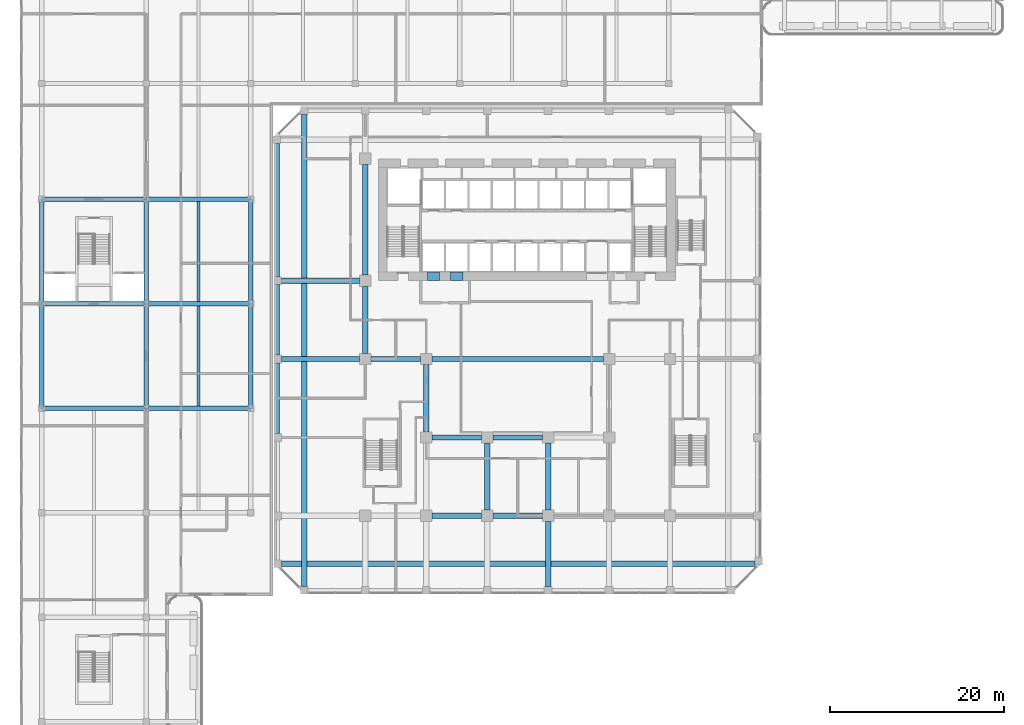
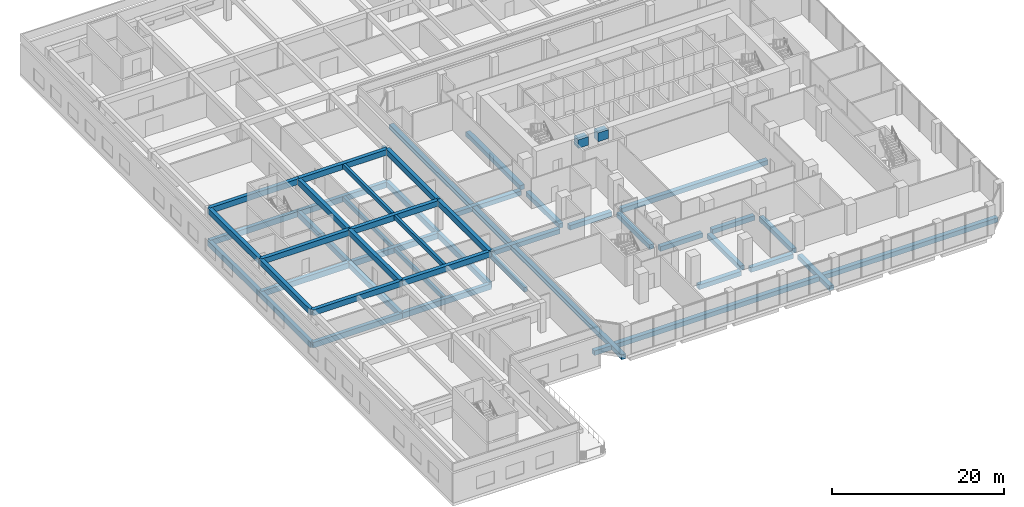
# One storey, part 4 of 35: 49 beams.
"""IFC4 building model written with IfcOpenShell, lengths in metres."""

import ifcopenshell
import ifcopenshell.guid

model = None  # the IFC model being written
_history = None  # IfcOwnerHistory: only IFC2X3 demands one
_inside = {}  # id of a spatial element -> (the spatial element, [elements in it])
_under = {}  # id of a project, library or spatial element -> (it, [spatial elements below it])
_declared = {}  # id of a project -> (the project, [libraries it declares])
_typed = {}  # id of a type object -> (the type object, [elements of that type])
_made_of = {}  # id of a material, layer set ... -> (it, [elements and type objects made of it])


def new_model(schema):
    """Start an empty IFC model of exactly this schema.

    Asked for "IFC4X3", IfcOpenShell would pick the latest addendum, in which some entities
    have other attributes; the version numbers below select the first issue.
    IFC2X3 requires an IfcOwnerHistory on every rooted entity: one is made here for all.
    """
    global model, _history
    if schema == "IFC4X3":
        model = ifcopenshell.file(schema_version=(4, 3, 0, 0))
    else:
        model = ifcopenshell.file(schema=schema)
    _inside.clear()
    _under.clear()
    _declared.clear()
    _typed.clear()
    _made_of.clear()
    _history = None
    if model.schema == "IFC2X3":
        org = make("IfcOrganization", Name="unknown")
        user = make(
            "IfcPersonAndOrganization",
            ThePerson=make("IfcPerson", FamilyName="unknown"),
            TheOrganization=org,
        )
        app = make(
            "IfcApplication",
            ApplicationDeveloper=org,
            Version="unknown",
            ApplicationFullName="unknown",
            ApplicationIdentifier="unknown",
        )
        _history = make(
            "IfcOwnerHistory",
            OwningUser=user,
            OwningApplication=app,
            ChangeAction="ADDED",
            CreationDate=0,
        )
    return model


def make(cls, **values):
    """One entity of the class cls with the attributes given. An attribute that is None is left unset."""
    return model.create_entity(
        cls, **{name: value for name, value in values.items() if value is not None}
    )


def rooted(cls, **values):
    """An entity with a GlobalId (a new one), such as an element, a storey or a relation."""
    return make(cls, GlobalId=ifcopenshell.guid.new(), OwnerHistory=_history, **values)


def si_unit(unit_type, name, prefix=None):
    """IfcSIUnit, for example si_unit("LENGTHUNIT", "METRE", prefix="MILLI")."""
    return make("IfcSIUnit", UnitType=unit_type, Prefix=prefix, Name=name)


def assignment(units):
    """IfcUnitAssignment: the units of a project."""
    return None if units is None else make("IfcUnitAssignment", Units=units)


def point(xyz):
    """IfcCartesianPoint."""
    return None if xyz is None else make("IfcCartesianPoint", Coordinates=xyz)


def direction(xyz):
    """IfcDirection."""
    return None if xyz is None else make("IfcDirection", DirectionRatios=xyz)


def frame(location, z_axis=None, x_axis=None):
    """IfcAxis2Placement3D, a coordinate frame: its origin and axes. An axis left out is left unset."""
    return make(
        "IfcAxis2Placement3D",
        Location=point(location),
        Axis=direction(z_axis),
        RefDirection=direction(x_axis),
    )


def frame_2d(location, x_axis=None):
    """IfcAxis2Placement2D, a coordinate frame in the plane: its origin and x axis."""
    return make(
        "IfcAxis2Placement2D", Location=point(location), RefDirection=direction(x_axis)
    )


def origin():
    """The frame at (0, 0, 0) with its axes left unset."""
    return frame((0.0, 0.0, 0.0))


def origin_2d():
    """The frame at (0, 0) in the plane with its x axis left unset."""
    return frame_2d((0.0, 0.0))


def place(relative_to, where):
    """IfcLocalPlacement: puts the frame where relative to a parent placement (None: the world)."""
    return make(
        "IfcLocalPlacement", PlacementRelTo=relative_to, RelativePlacement=where
    )


def context(
    kind, dimensions, precision=None, world=None, true_north=None, identifier=None
):
    """IfcGeometricRepresentationContext, for example the 3D "Model" context."""
    return make(
        "IfcGeometricRepresentationContext",
        ContextIdentifier=identifier,
        ContextType=kind,
        CoordinateSpaceDimension=dimensions,
        Precision=precision,
        WorldCoordinateSystem=world,
        TrueNorth=true_north,
    )


def subcontext(parent, identifier, kind, view, scale=None):
    """IfcGeometricRepresentationSubContext, for example "Body" below "Model"."""
    return make(
        "IfcGeometricRepresentationSubContext",
        ContextIdentifier=identifier,
        ContextType=kind,
        ParentContext=parent,
        TargetScale=scale,
        TargetView=view,
    )


def project(units=None, contexts=None):
    """IfcProject with its units and contexts."""
    return rooted(
        "IfcProject",
        Name="project",
        RepresentationContexts=contexts,
        UnitsInContext=assignment(units),
    )


def spatial(cls, under=None, at=None, **own):
    """A site, building, storey or space (cls), placed at a placement, below another one or the project."""
    s = rooted(cls, ObjectPlacement=at, **own)
    if under is not None:
        _under.setdefault(under.id(), (under, []))[1].append(s)
    return s


def profile(cls, at=None, kind="AREA", **sizes):
    """A parametric profile (cls). Its sizes go by their IFC names, for example OverallWidth=200.0."""
    return make(cls, ProfileType=kind, Position=at, **sizes)


def rectangle(**sizes):
    """IfcRectangleProfileDef."""
    return profile("IfcRectangleProfileDef", **sizes)


def extrude(swept, where, along, depth):
    """IfcExtrudedAreaSolid: the profile swept, set in the frame where, extruded along a direction by depth."""
    return make(
        "IfcExtrudedAreaSolid",
        SweptArea=swept,
        Position=where,
        ExtrudedDirection=direction(along),
        Depth=depth,
    )


def shape(context_of_items, identifier, shape_type, items):
    """IfcShapeRepresentation: the items that make up one representation, for example the "Body"."""
    return make(
        "IfcShapeRepresentation",
        ContextOfItems=context_of_items,
        RepresentationIdentifier=identifier,
        RepresentationType=shape_type,
        Items=items,
    )


def source(mapping_origin, context_of_items, identifier, shape_type, items):
    """IfcRepresentationMap: a shape defined once, which mapped items show again and again."""
    return make(
        "IfcRepresentationMap",
        MappingOrigin=mapping_origin,
        MappedRepresentation=shape(context_of_items, identifier, shape_type, items),
    )


def transform(
    local_origin,
    x_axis=None,
    y_axis=None,
    z_axis=None,
    scale=None,
    scale2=None,
    scale3=None,
    uniform=True,
):
    """IfcCartesianTransformationOperator3D, or its non-uniform kind. x_axis, y_axis, z_axis: its Axis1, 2, 3."""
    if uniform:
        return make(
            "IfcCartesianTransformationOperator3D",
            Axis1=direction(x_axis),
            Axis2=direction(y_axis),
            LocalOrigin=point(local_origin),
            Scale=scale,
            Axis3=direction(z_axis),
        )
    return make(
        "IfcCartesianTransformationOperator3DnonUniform",
        Axis1=direction(x_axis),
        Axis2=direction(y_axis),
        LocalOrigin=point(local_origin),
        Scale=scale,
        Axis3=direction(z_axis),
        Scale2=scale2,
        Scale3=scale3,
    )


def mapped(mapping_source, mapping_target):
    """IfcMappedItem: shows the shape of a source again, moved by a transform."""
    return make(
        "IfcMappedItem", MappingSource=mapping_source, MappingTarget=mapping_target
    )


def material(Name=None, Category=None):
    """IfcMaterial."""
    return make("IfcMaterial", Name=Name, Category=Category)


def material_profile(
    of_material, cross_section, Name=None, Category=None, Priority=None
):
    """IfcMaterialProfile: a cross section and its material."""
    return make(
        "IfcMaterialProfile",
        Name=Name,
        Material=of_material,
        Profile=cross_section,
        Priority=Priority,
        Category=Category,
    )


def profile_set(profiles, Name=None, composite=None):
    """IfcMaterialProfileSet."""
    return make(
        "IfcMaterialProfileSet",
        Name=Name,
        MaterialProfiles=profiles,
        CompositeProfile=composite,
    )


def made_of(thing, what):
    """Note that an element or type object is made of a material, layer set ...; save() writes the relation."""
    if what is not None:
        _made_of.setdefault(what.id(), (what, []))[1].append(thing)
    return thing


def type_object(cls, material=None, **own):
    """A type object (cls), such as IfcWallType, which elements share."""
    return made_of(rooted(cls, **own), material)


def element(
    cls,
    number,
    at=None,
    inside=None,
    cuts=None,
    type_object=None,
    material=None,
    context=None,
    identifier="Body",
    shape_type=None,
    held_by="IfcProductDefinitionShape",
    body=None,
    shapes=None,
    **own,
):
    """One element of the class cls, such as IfcWall. Its Tag is "e" and its number.

    at: its placement. inside: the storey or other place that contains it. cuts: it is an
    opening in that element (IfcRelVoidsElement). A single representation is given by context,
    identifier, shape_type and body (its items); several are given by shapes. held_by: the class
    of the entity that holds the representations. save() writes the other relations.
    """
    e = rooted(cls, Tag="e%d" % number, ObjectPlacement=at, **own)
    if body is not None:
        shapes = [shape(context, identifier, shape_type, body)]
    if shapes is not None:
        e.Representation = make(held_by, Representations=shapes)
    if inside is not None:
        _inside.setdefault(inside.id(), (inside, []))[1].append(e)
    if cuts is not None:
        rooted(
            "IfcRelVoidsElement", RelatingBuildingElement=cuts, RelatedOpeningElement=e
        )
    if type_object is not None:
        _typed.setdefault(type_object.id(), (type_object, []))[1].append(e)
    return made_of(e, material)


def aggregate(whole, parts):
    """IfcRelAggregates: a whole, such as a stair, and the parts it consists of."""
    return rooted("IfcRelAggregates", RelatingObject=whole, RelatedObjects=parts)


def save(model, path):
    """Write the relations noted so far, then the file.

    IfcRelAggregates (storeys below a building ...), IfcRelContainedInSpatialStructure (elements
    in a storey), IfcRelDefinesByType, IfcRelAssociatesMaterial and IfcRelDeclares: one each for
    every whole, place, type object, material and project.
    """
    for whole, parts in _under.values():
        aggregate(whole, parts)
    for where, things in _inside.values():
        rooted(
            "IfcRelContainedInSpatialStructure",
            RelatedElements=things,
            RelatingStructure=where,
        )
    for kind, things in _typed.values():
        rooted("IfcRelDefinesByType", RelatedObjects=things, RelatingType=kind)
    for what, things in _made_of.values():
        rooted("IfcRelAssociatesMaterial", RelatedObjects=things, RelatingMaterial=what)
    for by, libraries in _declared.values():
        rooted("IfcRelDeclares", RelatingContext=by, RelatedDefinitions=libraries)
    model.write(path)


model = new_model("IFC4")

# Units and contexts
model_context = context("Model", 3, precision=1e-05, world=origin(), true_north=direction((0.0, 1.0)))
body_context = subcontext(model_context, "Body", "Model", "MODEL_VIEW")
ifc_project = project(units=[si_unit("LENGTHUNIT", "METRE"), si_unit("AREAUNIT", "SQUARE_METRE"), si_unit("VOLUMEUNIT", "CUBIC_METRE"), si_unit("PLANEANGLEUNIT", "RADIAN"), si_unit("MASSUNIT", "GRAM", prefix="KILO")], contexts=[model_context])

# Site, building, storey
site_placement = place(None, origin())
site = spatial("IfcSite", under=ifc_project, at=site_placement, CompositionType="ELEMENT")
building_placement = place(site_placement, origin())
building = spatial("IfcBuilding", under=site, at=building_placement, Name="Kilnfold Tower and Market Hall", CompositionType="ELEMENT")
storey_placement = place(building_placement, frame((0.0, 0.0, 22.5)))
storey = spatial("IfcBuildingStorey", under=building, at=storey_placement, Name="L04", CompositionType="ELEMENT", Elevation=22.5)

# Beams
ifc_material_1 = material(Name="Concrete C40/50", Category="concrete")
ifc_material_profile_1 = material_profile(ifc_material_1, rectangle(XDim=0.5, YDim=0.800048828125, at=origin_2d()), Name="RC 500x800")
ifc_profile_set_1 = profile_set([ifc_material_profile_1], Name="Concrete C40/50")
beam_type_1 = type_object("IfcBeamType", Name="HALL GIRDER 500X800", PredefinedType="BEAM", material=ifc_profile_set_1)
for number, where, z_axis, x_axis, name in (
    (1, (-54.64990234375, -6.64990234375, -0.800048828125), (0.0, 1.0, 0.0), (-1.0, 0.0, 0.0), "Beam MG2.7"),
    (2, (-54.64990234375, -6.64990234375, -0.800048828125), (1.0, 0.0, 0.0), (0.0, 1.0, 0.0), "Beam MG2.8"),
    (3, (-54.64990234375, 5.35009765625, -0.800048828125), (0.0, 1.0, 0.0), (-1.0, 0.0, 0.0), "Beam MG2.9"),
    (4, (-54.64990234375, 5.35009765625, -0.800048828125), (1.0, 0.0, 0.0), (0.0, 1.0, 0.0), "Beam MG2.10"),
    (5, (-54.64990234375, 17.35009765625, -0.800048828125), (1.0, 0.0, 0.0), (0.0, 1.0, 0.0), "Beam MG2.12"),
    (6, (-42.64990234375, -6.64990234375, -0.800048828125), (0.0, 1.0, 0.0), (-1.0, 0.0, 0.0), "Beam MG2.24"),
    (7, (-42.64990234375, -6.64990234375, -0.800048828125), (1.0, 0.0, 0.0), (0.0, 1.0, 0.0), "Beam MG2.25"),
    (8, (-42.64990234375, 5.35009765625, -0.800048828125), (0.0, 1.0, 0.0), (-1.0, 0.0, 0.0), "Beam MG2.26"),
    (9, (-42.64990234375, 5.35009765625, -0.800048828125), (1.0, 0.0, 0.0), (0.0, 1.0, 0.0), "Beam MG2.27"),
    (10, (-42.64990234375, 17.35009765625, -0.800048828125), (1.0, 0.0, 0.0), (0.0, 1.0, 0.0), "Beam MG2.29"),
    (11, (-30.64990234375, -6.64990234375, -0.800048828125), (0.0, 1.0, 0.0), (-1.0, 0.0, 0.0), "Beam MG2.37"),
    (12, (-30.64990234375, 5.35009765625, -0.800048828125), (0.0, 1.0, 0.0), (-1.0, 0.0, 0.0), "Beam MG2.38"),
    (13, (-54.64990234375, -6.64990234375, 3.820068359375), (0.0, 1.0, 0.0), (-1.0, 0.0, 0.0), "Roof beam MG2.R7"),
    (14, (-54.64990234375, -6.64990234375, 3.820068359375), (1.0, 0.0, 0.0), (0.0, 1.0, 0.0), "Roof beam MG2.R8"),
    (15, (-54.64990234375, 5.35009765625, 3.820068359375), (0.0, 1.0, 0.0), (-1.0, 0.0, 0.0), "Roof beam MG2.R9"),
    (16, (-54.64990234375, 5.35009765625, 3.820068359375), (1.0, 0.0, 0.0), (0.0, 1.0, 0.0), "Roof beam MG2.R10"),
    (17, (-54.64990234375, 17.35009765625, 3.820068359375), (1.0, 0.0, 0.0), (0.0, 1.0, 0.0), "Roof beam MG2.R12"),
    (18, (-42.64990234375, -6.64990234375, 3.820068359375), (0.0, 1.0, 0.0), (-1.0, 0.0, 0.0), "Roof beam MG2.R22"),
    (19, (-42.64990234375, -6.64990234375, 3.820068359375), (1.0, 0.0, 0.0), (0.0, 1.0, 0.0), "Roof beam MG2.R23"),
    (20, (-42.64990234375, 5.35009765625, 3.820068359375), (0.0, 1.0, 0.0), (-1.0, 0.0, 0.0), "Roof beam MG2.R24"),
    (21, (-42.64990234375, 5.35009765625, 3.820068359375), (1.0, 0.0, 0.0), (0.0, 1.0, 0.0), "Roof beam MG2.R25"),
    (22, (-42.64990234375, 17.35009765625, 3.820068359375), (1.0, 0.0, 0.0), (0.0, 1.0, 0.0), "Roof beam MG2.R27"),
    (23, (-30.64990234375, -6.64990234375, 3.820068359375), (0.0, 1.0, 0.0), (-1.0, 0.0, 0.0), "Roof beam MG2.R34"),
    (24, (-30.64990234375, 5.35009765625, 3.820068359375), (0.0, 1.0, 0.0), (-1.0, 0.0, 0.0), "Roof beam MG2.R35"),
):
    element("IfcBeam", number, at=place(storey_placement, frame(where, z_axis=z_axis, x_axis=x_axis)), inside=storey, type_object=beam_type_1, Name=name, PredefinedType="BEAM", context=body_context, shape_type="SweptSolid", body=[
        extrude(rectangle(XDim=0.5, YDim=0.800048828125, at=origin_2d()), origin(), (0.0, 0.0, 1.0), 12.0),
    ])
ifc_material_2 = material(Name="Concrete C40/50", Category="concrete")
ifc_material_profile_2 = material_profile(ifc_material_2, rectangle(XDim=0.35009765625, YDim=0.60009765625, at=origin_2d()), Name="RC 350x600")
ifc_profile_set_2 = profile_set([ifc_material_profile_2], Name="Concrete C40/50")
beam_type_2 = type_object("IfcBeamType", Name="HALL JOIST 350X600", PredefinedType="BEAM", material=ifc_profile_set_2)
for number, where, z_axis, x_axis, name in (
    (25, (-36.64990234375, -6.39990234375, -0.699951171875), (0.0, 1.0, 0.0), (-1.0, 0.0, 0.0), "Beam MJ1.4"),
    (26, (-36.64990234375, 5.60009765625, -0.699951171875), (0.0, 1.0, 0.0), (-1.0, 0.0, 0.0), "Beam MJ1.5"),
    (27, (-36.64990234375, -6.39990234375, 3.919921875), (0.0, 1.0, 0.0), (-1.0, 0.0, 0.0), "Roof beam MJ1.R4"),
    (28, (-36.64990234375, 5.60009765625, 3.919921875), (0.0, 1.0, 0.0), (-1.0, 0.0, 0.0), "Roof beam MJ1.R5"),
):
    element("IfcBeam", number, at=place(storey_placement, frame(where, z_axis=z_axis, x_axis=x_axis)), inside=storey, type_object=beam_type_2, Name=name, PredefinedType="BEAM", context=body_context, shape_type="SweptSolid", body=[
        extrude(rectangle(XDim=0.35009765625, YDim=0.60009765625, at=origin_2d()), origin(), (0.0, 0.0, 1.0), 11.5),
    ])
ifc_material_3 = material(Name="Concrete C80", Category="concrete")
ifc_material_profile_3 = material_profile(ifc_material_3, rectangle(XDim=1.0, YDim=1.199951171875, at=origin_2d()), Name="RC 1000x1200")
ifc_profile_set_3 = profile_set([ifc_material_profile_3], Name="Concrete C80")
beam_type_3 = type_object("IfcBeamType", Name="COUPLING BEAM 1000X1200 C80", PredefinedType="BEAM", material=ifc_profile_set_3)
shared_shape_1 = source(origin(), body_context, "Body", "SweptSolid", [
    extrude(rectangle(XDim=1.0, YDim=1.199951171875, at=origin_2d()), origin(), (0.0, 0.0, 1.0), 1.400146484375),
])
beam_1_placement = place(storey_placement, frame((-10.3701171875, 8.5, 3.300048828125), z_axis=(1.0, 0.0, 0.0), x_axis=(0.0, 1.0, 0.0)))
element("IfcBeam", 29, at=beam_1_placement, inside=storey, type_object=beam_type_3, Name="Coupling beam CB1200-80-CORE.42", PredefinedType="BEAM", context=body_context, shape_type="MappedRepresentation", body=[
    mapped(shared_shape_1, transform((0.0, 0.0, 0.0))),
])
ifc_material_4 = material(Name="Concrete C80", Category="concrete")
ifc_material_profile_4 = material_profile(ifc_material_4, rectangle(XDim=1.0, YDim=1.25, at=origin_2d()), Name="RC 1000x1250")
ifc_profile_set_4 = profile_set([ifc_material_profile_4], Name="Concrete C80")
beam_type_4 = type_object("IfcBeamType", Name="COUPLING BEAM 1000X1250 C80", PredefinedType="BEAM", material=ifc_profile_set_4)
shared_shape_2 = source(origin(), body_context, "Body", "SweptSolid", [
    extrude(rectangle(XDim=1.0, YDim=1.25, at=origin_2d()), origin(), (0.0, 0.0, 1.0), 1.39990234375),
])
beam_2_placement = place(storey_placement, frame((-7.68994140625, 8.5, 3.324951171875), z_axis=(1.0, 0.0, 0.0), x_axis=(0.0, 1.0, 0.0)))
element("IfcBeam", 30, at=beam_2_placement, inside=storey, type_object=beam_type_4, Name="Coupling beam CB1250-80-CORE.44", PredefinedType="BEAM", context=body_context, shape_type="MappedRepresentation", body=[
    mapped(shared_shape_2, transform((0.0, 0.0, 0.0))),
])
ifc_material_5 = material(Name="Concrete C45", Category="concrete")
ifc_material_profile_5 = material_profile(ifc_material_5, rectangle(XDim=0.60009765625, YDim=0.64990234375, at=origin_2d()), Name="RC 600x650")
ifc_profile_set_5 = profile_set([ifc_material_profile_5], Name="Concrete C45")
beam_type_5 = type_object("IfcBeamType", Name="BEAM 600X650 C45", PredefinedType="BEAM", material=ifc_profile_set_5)
shared_shape_3 = source(origin(), body_context, "Body", "SweptSolid", [
    extrude(rectangle(XDim=0.60009765625, YDim=0.64990234375, at=origin_2d()), origin(), (0.0, 0.0, 1.0), 8.9501953125),
])
for number, where, z_axis, x_axis, name in (
    (31, (-27.10009765625, -1.0, -0.72509765625), (1.0, 0.0, 0.0), (0.0, 1.0, 0.0), "Beam BB650-B1.16"),
    (32, (-27.10009765625, 8.0, -0.72509765625), (1.0, 0.0, 0.0), (0.0, 1.0, 0.0), "Beam BB650-B1.21"),
):
    element("IfcBeam", number, at=place(storey_placement, frame(where, z_axis=z_axis, x_axis=x_axis)), inside=storey, type_object=beam_type_5, Name=name, PredefinedType="BEAM", context=body_context, shape_type="MappedRepresentation", body=[
        mapped(shared_shape_3, transform((0.0, 0.0, 0.0))),
    ])
shared_shape_4 = source(origin(), body_context, "Body", "SweptSolid", [
    extrude(rectangle(XDim=0.60009765625, YDim=0.64990234375, at=origin_2d()), origin(), (0.0, 0.0, 1.0), 5.7001953125),
])
for number, where, z_axis, x_axis, name in (
    (33, (-9.85009765625, -19.0, -0.72509765625), (1.0, 0.0, 0.0), (0.0, 1.0, 0.0), "Beam BB650-B1.8"),
    (34, (-2.85009765625, -19.0, -0.72509765625), (1.0, 0.0, 0.0), (0.0, 1.0, 0.0), "Beam BB650-B1.9"),
    (35, (-9.85009765625, -10.0, -0.72509765625), (1.0, 0.0, 0.0), (0.0, 1.0, 0.0), "Beam BB650-B1.13"),
    (36, (-2.85009765625, -10.0, -0.72509765625), (1.0, 0.0, 0.0), (0.0, 1.0, 0.0), "Beam BB650-B1.14"),
    (37, (-16.85009765625, -1.0, -0.72509765625), (1.0, 0.0, 0.0), (0.0, 1.0, 0.0), "Beam BB650-B1.17"),
):
    element("IfcBeam", number, at=place(storey_placement, frame(where, z_axis=z_axis, x_axis=x_axis)), inside=storey, type_object=beam_type_5, Name=name, PredefinedType="BEAM", context=body_context, shape_type="MappedRepresentation", body=[
        mapped(shared_shape_4, transform((0.0, 0.0, 0.0))),
    ])
shared_shape_5 = source(origin(), body_context, "Body", "SweptSolid", [
    extrude(rectangle(XDim=0.60009765625, YDim=0.64990234375, at=origin_2d()), origin(), (0.0, 0.0, 1.0), 19.7001953125),
])
beam_3_placement = place(storey_placement, frame((-9.85009765625, -1.0, -0.72509765625), z_axis=(1.0, 0.0, 0.0), x_axis=(0.0, 1.0, 0.0)))
element("IfcBeam", 38, at=beam_3_placement, inside=storey, type_object=beam_type_5, Name="Beam BB650-B1.18", PredefinedType="BEAM", context=body_context, shape_type="MappedRepresentation", body=[
    mapped(shared_shape_5, transform((0.0, 0.0, 0.0))),
])
shared_shape_6 = source(origin(), body_context, "Body", "SweptSolid", [
    extrude(rectangle(XDim=0.60009765625, YDim=0.64990234375, at=origin_2d()), origin(), (0.0, 0.0, 1.0), 54.331787109375),
])
beam_4_placement = place(storey_placement, frame((-27.10009765625, -24.5, -0.72509765625), z_axis=(1.0, 0.0, 0.0), x_axis=(0.0, 1.0, 0.0)))
element("IfcBeam", 39, at=beam_4_placement, inside=storey, type_object=beam_type_5, Name="Beam BB650-B1.55", PredefinedType="BEAM", context=body_context, shape_type="MappedRepresentation", body=[
    mapped(shared_shape_6, transform((0.0, 0.0, 0.0))),
])
ifc_material_6 = material(Name="Concrete C45", Category="concrete")
ifc_material_profile_6 = material_profile(ifc_material_6, rectangle(XDim=0.449951171875, YDim=0.64990234375, at=origin_2d()), Name="RC 450x650")
ifc_profile_set_6 = profile_set([ifc_material_profile_6], Name="Concrete C45")
beam_type_6 = type_object("IfcBeamType", Name="EDGE BEAM 450X650 C45", PredefinedType="BEAM", material=ifc_profile_set_6)
shared_shape_7 = source(origin(), body_context, "Body", "SweptSolid", [
    extrude(rectangle(XDim=0.449951171875, YDim=0.64990234375, at=origin_2d()), origin(), (0.0, 0.0, 1.0), 8.10009765625),
])
for number, where, z_axis, x_axis, name in (
    (40, (-27.550048828125, -9.550048828125, -0.72509765625), (0.0, 1.0, 0.0), (-1.0, 0.0, 0.0), "Beam EB650-B1.32"),
    (41, (-27.550048828125, -0.550048828125, -0.72509765625), (0.0, 1.0, 0.0), (-1.0, 0.0, 0.0), "Beam EB650-B1.33"),
):
    element("IfcBeam", number, at=place(storey_placement, frame(where, z_axis=z_axis, x_axis=x_axis)), inside=storey, type_object=beam_type_6, Name=name, PredefinedType="BEAM", context=body_context, shape_type="MappedRepresentation", body=[
        mapped(shared_shape_7, transform((0.0, 0.0, 0.0))),
    ])
shared_shape_8 = source(origin(), body_context, "Body", "SweptSolid", [
    extrude(rectangle(XDim=0.449951171875, YDim=0.64990234375, at=origin_2d()), origin(), (0.0, 0.0, 1.0), 15.28173828125),
])
beam_5_placement = place(storey_placement, frame((-27.550048828125, 8.449951171875, -0.72509765625), z_axis=(0.0, 1.0, 0.0), x_axis=(-1.0, 0.0, 0.0)))
element("IfcBeam", 42, at=beam_5_placement, inside=storey, type_object=beam_type_6, Name="Beam EB650-B1.34", PredefinedType="BEAM", context=body_context, shape_type="MappedRepresentation", body=[
    mapped(shared_shape_8, transform((0.0, 0.0, 0.0))),
])
shared_shape_9 = source(origin(), body_context, "Body", "SweptSolid", [
    extrude(rectangle(XDim=0.60009765625, YDim=0.64990234375, at=origin_2d()), origin(), (0.0, 0.0, 1.0), 54.2001953125),
])
beam_6_placement = place(storey_placement, frame((-24.5, -27.10009765625, -0.72509765625), z_axis=(0.0, 1.0, 0.0), x_axis=(-1.0, 0.0, 0.0)))
element("IfcBeam", 43, at=beam_6_placement, inside=storey, type_object=beam_type_5, Name="Beam BB650-B1.35", PredefinedType="BEAM", context=body_context, shape_type="MappedRepresentation", body=[
    mapped(shared_shape_9, transform((0.0, 0.0, 0.0))),
])
shared_shape_10 = source(origin(), body_context, "Body", "SweptSolid", [
    extrude(rectangle(XDim=0.60009765625, YDim=0.64990234375, at=origin_2d()), origin(), (0.0, 0.0, 1.0), 7.4501953125),
])
beam_7_placement = place(storey_placement, frame((3.5, -27.10009765625, -0.72509765625), z_axis=(0.0, 1.0, 0.0), x_axis=(-1.0, 0.0, 0.0)))
element("IfcBeam", 44, at=beam_7_placement, inside=storey, type_object=beam_type_5, Name="Beam BB650-B1.45", PredefinedType="BEAM", context=body_context, shape_type="MappedRepresentation", body=[
    mapped(shared_shape_10, transform((0.0, 0.0, 0.0))),
])
shared_shape_11 = source(origin(), body_context, "Body", "SweptSolid", [
    extrude(rectangle(XDim=0.60009765625, YDim=0.64990234375, at=origin_2d()), origin(), (0.0, 0.0, 1.0), 7.7001953125),
])
for number, where, z_axis, x_axis, name in (
    (45, (-17.5, -0.35009765625, -0.72509765625), (0.0, 1.0, 0.0), (-1.0, 0.0, 0.0), "Beam BB650-B1.37"),
    (46, (-10.5, -9.35009765625, -0.72509765625), (0.0, 1.0, 0.0), (-1.0, 0.0, 0.0), "Beam BB650-B1.42"),
    (47, (-3.5, -18.35009765625, -0.72509765625), (0.0, 1.0, 0.0), (-1.0, 0.0, 0.0), "Beam BB650-B1.44"),
    (48, (3.5, -18.35009765625, -0.72509765625), (0.0, 1.0, 0.0), (-1.0, 0.0, 0.0), "Beam BB650-B1.46"),
):
    element("IfcBeam", number, at=place(storey_placement, frame(where, z_axis=z_axis, x_axis=x_axis)), inside=storey, type_object=beam_type_5, Name=name, PredefinedType="BEAM", context=body_context, shape_type="MappedRepresentation", body=[
        mapped(shared_shape_11, transform((0.0, 0.0, 0.0))),
    ])
shared_shape_12 = source(origin(), body_context, "Body", "SweptSolid", [
    extrude(rectangle(XDim=0.60009765625, YDim=0.64990234375, at=origin_2d()), origin(), (0.0, 0.0, 1.0), 12.7001953125),
])
beam_8_placement = place(storey_placement, frame((-17.5, 8.64990234375, -0.72509765625), z_axis=(0.0, 1.0, 0.0), x_axis=(-1.0, 0.0, 0.0)))
element("IfcBeam", 49, at=beam_8_placement, inside=storey, type_object=beam_type_5, Name="Beam BB650-B1.38", PredefinedType="BEAM", context=body_context, shape_type="MappedRepresentation", body=[
    mapped(shared_shape_12, transform((0.0, 0.0, 0.0))),
])

save(model, "model.ifc")
